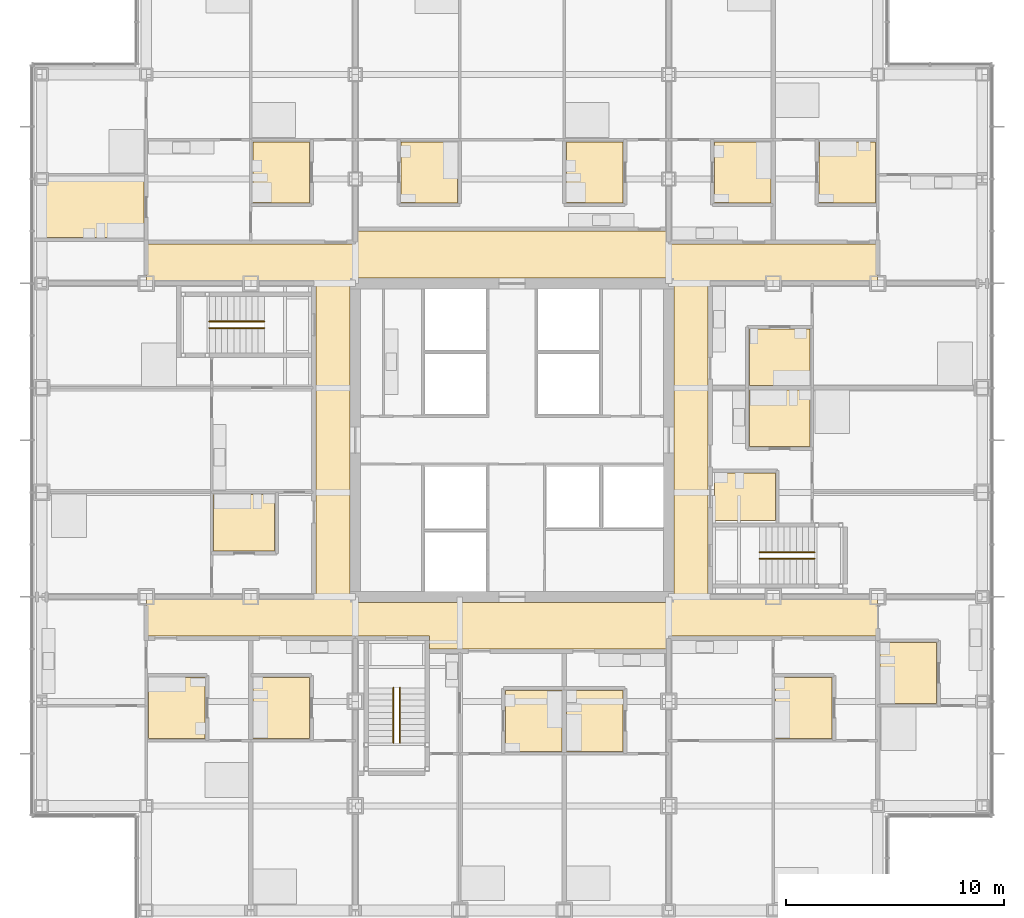
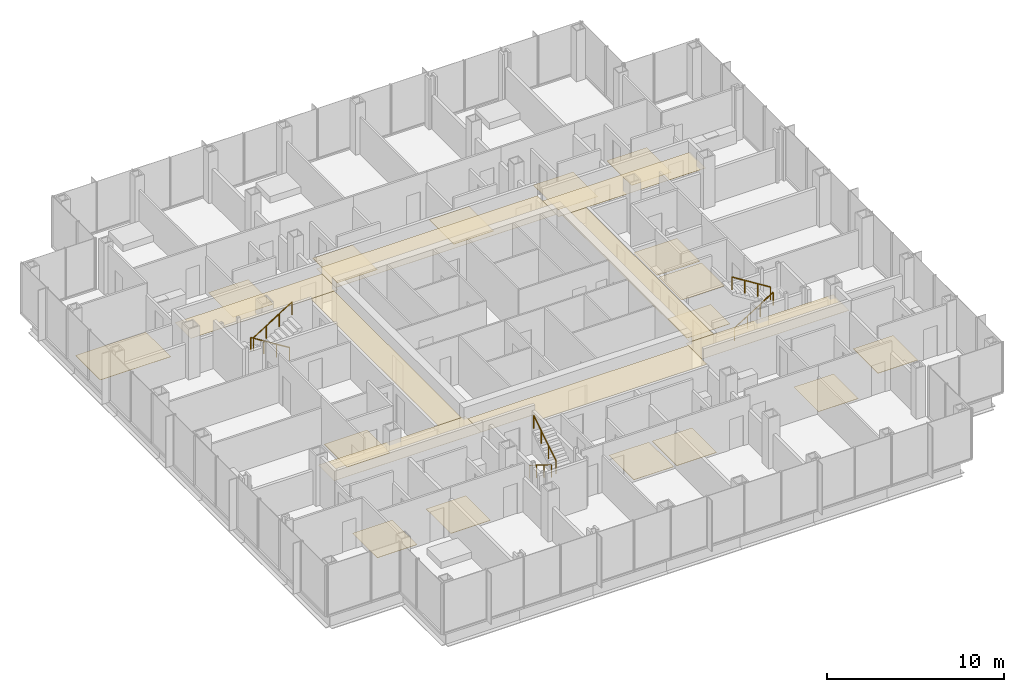
# One storey, part 19 of 21: 24 coverings, 6 railings.
"""IFC4 building model written with IfcOpenShell, lengths in metres."""

from ifc_helpers import new_model, si_unit, direction, frame, origin, origin_2d, place, context, subcontext, project, spatial, polyline, circle, outline, extrude, material, layer, layer_set, type_object, element, save


model = new_model("IFC4")

# Units and contexts
model_context = context("Model", 3, precision=1e-05, world=origin(), true_north=direction((0.0, 1.0)))
body_context = subcontext(model_context, "Body", "Model", "MODEL_VIEW")
ifc_project = project(units=[si_unit("LENGTHUNIT", "METRE"), si_unit("AREAUNIT", "SQUARE_METRE"), si_unit("VOLUMEUNIT", "CUBIC_METRE"), si_unit("PLANEANGLEUNIT", "RADIAN"), si_unit("MASSUNIT", "GRAM", prefix="KILO")], contexts=[model_context])

# Site, building, storey
site_placement = place(None, origin())
site = spatial("IfcSite", under=ifc_project, at=site_placement, CompositionType="ELEMENT")
building_placement = place(site_placement, origin())
building = spatial("IfcBuilding", under=site, at=building_placement, Name="Kvirike Care Tower", CompositionType="ELEMENT")
storey_placement = place(building_placement, frame((0.0, 0.0, 37.5)))
storey = spatial("IfcBuildingStorey", under=building, at=storey_placement, Name="L09", CompositionType="ELEMENT", Elevation=37.5)

# Coverings
ifc_material_1 = material(Name="Perforated metal ceiling tile", Category="aluminium")
ifc_layer_1 = layer(ifc_material_1, 0.014892578125)
ifc_layer_set_1 = layer_set([ifc_layer_1], Name="CORRIDOR CEILING 15")
covering_type_1 = type_object("IfcCoveringType", Name="CORRIDOR CEILING 15", PredefinedType="CEILING", material=ifc_layer_set_1)
covering_1_placement = place(storey_placement, frame((0.0, 0.0, 2.5)))
element("IfcCovering", 1, at=covering_1_placement, inside=storey, type_object=covering_type_1, Name="Corridor ceiling L09", PredefinedType="CEILING", context=body_context, shape_type="SweptSolid", body=[
    extrude(outline(polyline([(4.800048828125, 27.0), (4.800048828125, 28.800048828125), (14.39990234375, 28.800048828125), (14.39990234375, 27.0), (4.800048828125, 27.0)])), origin(), (0.0, 0.0, 1.0), 0.014892578125),
])
covering_2_placement = place(storey_placement, frame((0.0, 0.0, 2.5)))
element("IfcCovering", 2, at=covering_2_placement, inside=storey, type_object=covering_type_1, Name="Corridor ceiling L09", PredefinedType="CEILING", context=body_context, shape_type="SweptSolid", body=[
    extrude(outline(polyline([(12.60009765625, 43.199951171875), (14.14990234375, 43.199951171875), (14.14990234375, 28.800048828125), (12.60009765625, 28.800048828125), (12.60009765625, 43.199951171875)])), origin(), (0.0, 0.0, 1.0), 0.014892578125),
])
covering_3_placement = place(storey_placement, frame((0.0, 0.0, 2.5)))
element("IfcCovering", 3, at=covering_3_placement, inside=storey, type_object=covering_type_1, Name="Corridor ceiling L09", PredefinedType="CEILING", context=body_context, shape_type="SweptSolid", body=[
    extrude(outline(polyline([(14.39990234375, 45.0), (14.39990234375, 43.199951171875), (4.800048828125, 43.199951171875), (4.800048828125, 45.0), (14.39990234375, 45.0)])), origin(), (0.0, 0.0, 1.0), 0.014892578125),
])
covering_4_placement = place(storey_placement, frame((0.0, 0.0, 2.5)))
element("IfcCovering", 4, at=covering_4_placement, inside=storey, type_object=covering_type_1, Name="Corridor ceiling L09", PredefinedType="CEILING", context=body_context, shape_type="SweptSolid", body=[
    extrude(outline(polyline([(14.39990234375, 28.550048828125), (28.800048828125, 28.550048828125), (28.800048828125, 26.39990234375), (17.800048828125, 26.39990234375), (17.800048828125, 27.0), (14.39990234375, 27.0), (14.39990234375, 28.550048828125)])), origin(), (0.0, 0.0, 1.0), 0.014892578125),
])
covering_5_placement = place(storey_placement, frame((0.0, 0.0, 2.5)))
element("IfcCovering", 5, at=covering_5_placement, inside=storey, type_object=covering_type_1, Name="Corridor ceiling L09", PredefinedType="CEILING", context=body_context, shape_type="SweptSolid", body=[
    extrude(outline(polyline([(28.800048828125, 45.60009765625), (28.800048828125, 43.449951171875), (14.39990234375, 43.449951171875), (14.39990234375, 45.60009765625), (28.800048828125, 45.60009765625)])), origin(), (0.0, 0.0, 1.0), 0.014892578125),
])
covering_6_placement = place(storey_placement, frame((0.0, 0.0, 2.5)))
element("IfcCovering", 6, at=covering_6_placement, inside=storey, type_object=covering_type_1, Name="Corridor ceiling L09", PredefinedType="CEILING", context=body_context, shape_type="SweptSolid", body=[
    extrude(outline(polyline([(28.800048828125, 27.0), (28.800048828125, 28.800048828125), (38.39990234375, 28.800048828125), (38.39990234375, 27.0), (28.800048828125, 27.0)])), origin(), (0.0, 0.0, 1.0), 0.014892578125),
])
covering_7_placement = place(storey_placement, frame((0.0, 0.0, 2.5)))
element("IfcCovering", 7, at=covering_7_placement, inside=storey, type_object=covering_type_1, Name="Corridor ceiling L09", PredefinedType="CEILING", context=body_context, shape_type="SweptSolid", body=[
    extrude(outline(polyline([(30.60009765625, 28.800048828125), (29.050048828125, 28.800048828125), (29.050048828125, 43.199951171875), (30.60009765625, 43.199951171875), (30.60009765625, 28.800048828125)])), origin(), (0.0, 0.0, 1.0), 0.014892578125),
])
covering_8_placement = place(storey_placement, frame((0.0, 0.0, 2.5)))
element("IfcCovering", 8, at=covering_8_placement, inside=storey, type_object=covering_type_1, Name="Corridor ceiling L09", PredefinedType="CEILING", context=body_context, shape_type="SweptSolid", body=[
    extrude(outline(polyline([(38.39990234375, 45.0), (38.39990234375, 43.199951171875), (28.800048828125, 43.199951171875), (28.800048828125, 45.0), (38.39990234375, 45.0)])), origin(), (0.0, 0.0, 1.0), 0.014892578125),
])

# Railings
ifc_material_2 = material(Name="Stainless steel handrail", Category="steel")
railing_type = type_object("IfcRailingType", Name="STAIR HANDRAIL 900", PredefinedType="HANDRAIL", material=ifc_material_2)
railing_1_placement = place(storey_placement, frame((10.219970703125, 41.449951171875, 0.175048828125)))
element("IfcRailing", 9, at=railing_1_placement, inside=storey, type_object=railing_type, Name="Stair 1 handrail L09 flight 1", PredefinedType="HANDRAIL", context=body_context, shape_type="SweptSolid", body=[
    extrude(circle(Radius=0.02490234375, at=origin_2d()), frame((0.0, 0.0, 0.875), z_axis=(-0.848007534815, 0.0, 0.529984170421), x_axis=(0.0, -1.0, 0.0)), (0.0, 0.0, 1.0), 2.9716796875),
    extrude(circle(Radius=0.02001953125, at=origin_2d()), origin(), (0.0, 0.0, 1.0), 0.849853515625),
    extrude(circle(Radius=0.02001953125, at=origin_2d()), frame((-0.840087890625, 0.0, 0.52490234375)), (0.0, 0.0, 1.0), 0.849853515625),
    extrude(circle(Radius=0.02001953125, at=origin_2d()), frame((-1.679931640625, 0.0, 1.050048828125)), (0.0, 0.0, 1.0), 0.849853515625),
    extrude(circle(Radius=0.02001953125, at=origin_2d()), frame((-2.52001953125, 0.0, 1.574951171875)), (0.0, 0.0, 1.0), 0.849853515625),
])
for number, where, name in (
    (10, (7.699951171875, 41.14990234375, 1.925048828125), "Stair 1 handrail L09 flight 2"),
    (11, (32.97998046875, 30.550048828125, 0.175048828125), "Stair 2 handrail L09 flight 1"),
):
    element("IfcRailing", number, at=place(storey_placement, frame(where)), inside=storey, type_object=railing_type, Name=name, PredefinedType="HANDRAIL", context=body_context, shape_type="SweptSolid", body=[
        extrude(circle(Radius=0.02490234375, at=origin_2d()), frame((0.0, 0.0, 0.875), z_axis=(0.848007534815, 0.0, 0.529984170421), x_axis=(0.0, 1.0, 0.0)), (0.0, 0.0, 1.0), 2.9716796875),
        extrude(circle(Radius=0.02001953125, at=origin_2d()), origin(), (0.0, 0.0, 1.0), 0.849853515625),
        extrude(circle(Radius=0.02001953125, at=origin_2d()), frame((0.840087890625, 0.0, 0.52490234375)), (0.0, 0.0, 1.0), 0.849853515625),
        extrude(circle(Radius=0.02001953125, at=origin_2d()), frame((1.679931640625, 0.0, 1.050048828125)), (0.0, 0.0, 1.0), 0.849853515625),
        extrude(circle(Radius=0.02001953125, at=origin_2d()), frame((2.52001953125, 0.0, 1.574951171875)), (0.0, 0.0, 1.0), 0.849853515625),
    ])
railing_2_placement = place(storey_placement, frame((35.5, 30.85009765625, 1.925048828125)))
element("IfcRailing", 12, at=railing_2_placement, inside=storey, type_object=railing_type, Name="Stair 2 handrail L09 flight 2", PredefinedType="HANDRAIL", context=body_context, shape_type="SweptSolid", body=[
    extrude(circle(Radius=0.02490234375, at=origin_2d()), frame((0.0, 0.0, 0.875), z_axis=(-0.848007534815, 0.0, 0.529984170421), x_axis=(0.0, -1.0, 0.0)), (0.0, 0.0, 1.0), 2.9716796875),
    extrude(circle(Radius=0.02001953125, at=origin_2d()), origin(), (0.0, 0.0, 1.0), 0.849853515625),
    extrude(circle(Radius=0.02001953125, at=origin_2d()), frame((-0.840087890625, 0.0, 0.52490234375)), (0.0, 0.0, 1.0), 0.849853515625),
    extrude(circle(Radius=0.02001953125, at=origin_2d()), frame((-1.679931640625, 0.0, 1.050048828125)), (0.0, 0.0, 1.0), 0.849853515625),
    extrude(circle(Radius=0.02001953125, at=origin_2d()), frame((-2.52001953125, 0.0, 1.574951171875)), (0.0, 0.0, 1.0), 0.849853515625),
])
railing_3_placement = place(storey_placement, frame((16.14990234375, 24.6201171875, 0.175048828125)))
element("IfcRailing", 13, at=railing_3_placement, inside=storey, type_object=railing_type, Name="Stair 5 handrail L09 flight 1", PredefinedType="HANDRAIL", context=body_context, shape_type="SweptSolid", body=[
    extrude(circle(Radius=0.02490234375, at=origin_2d()), frame((0.0, 0.0, 0.875), z_axis=(0.0, -0.848007534815, 0.529984170421), x_axis=(1.0, 0.0, 0.0)), (0.0, 0.0, 1.0), 2.9716796875),
    extrude(circle(Radius=0.02001953125, at=origin_2d()), origin(), (0.0, 0.0, 1.0), 0.849853515625),
    extrude(circle(Radius=0.02001953125, at=origin_2d()), frame((0.0, -0.840087890625, 0.52490234375)), (0.0, 0.0, 1.0), 0.849853515625),
    extrude(circle(Radius=0.02001953125, at=origin_2d()), frame((0.0, -1.679931640625, 1.050048828125)), (0.0, 0.0, 1.0), 0.849853515625),
    extrude(circle(Radius=0.02001953125, at=origin_2d()), frame((0.0, -2.52001953125, 1.574951171875)), (0.0, 0.0, 1.0), 0.849853515625),
])
railing_4_placement = place(storey_placement, frame((16.449951171875, 22.10009765625, 1.925048828125)))
element("IfcRailing", 14, at=railing_4_placement, inside=storey, type_object=railing_type, Name="Stair 5 handrail L09 flight 2", PredefinedType="HANDRAIL", context=body_context, shape_type="SweptSolid", body=[
    extrude(circle(Radius=0.02490234375, at=origin_2d()), frame((0.0, 0.0, 0.875), z_axis=(0.0, 0.848007534815, 0.529984170421), x_axis=(-1.0, 0.0, 0.0)), (0.0, 0.0, 1.0), 2.9716796875),
    extrude(circle(Radius=0.02001953125, at=origin_2d()), origin(), (0.0, 0.0, 1.0), 0.849853515625),
    extrude(circle(Radius=0.02001953125, at=origin_2d()), frame((0.0, 0.840087890625, 0.52490234375)), (0.0, 0.0, 1.0), 0.849853515625),
    extrude(circle(Radius=0.02001953125, at=origin_2d()), frame((0.0, 1.679931640625, 1.050048828125)), (0.0, 0.0, 1.0), 0.849853515625),
    extrude(circle(Radius=0.02001953125, at=origin_2d()), frame((0.0, 2.52001953125, 1.574951171875)), (0.0, 0.0, 1.0), 0.849853515625),
])

# Coverings
ifc_material_3 = material(Name="Slip-resistant vinyl safety flooring on screed")
ifc_layer_2 = layer(ifc_material_3, 0.02001953125)
ifc_layer_set_2 = layer_set([ifc_layer_2], Name="WET ROOM FLOOR 20")
covering_type_2 = type_object("IfcCoveringType", Name="WET ROOM FLOOR 20", PredefinedType="FLOORING", material=ifc_layer_set_2)
covering_9_placement = place(storey_placement, origin())
element("IfcCovering", 15, at=covering_9_placement, inside=storey, type_object=covering_type_2, Name="Bathroom floor L09-004", PredefinedType="FLOORING", context=body_context, shape_type="SweptSolid", body=[
    extrude(outline(polyline([(4.89990234375, 22.300048828125), (4.89990234375, 25.10009765625), (7.5, 25.10009765625), (7.5, 22.300048828125), (4.89990234375, 22.300048828125)])), origin(), (0.0, 0.0, 1.0), 0.02001953125),
])
covering_10_placement = place(storey_placement, origin())
element("IfcCovering", 16, at=covering_10_placement, inside=storey, type_object=covering_type_2, Name="Bathroom floor L09-008", PredefinedType="FLOORING", context=body_context, shape_type="SweptSolid", body=[
    extrude(outline(polyline([(9.699951171875, 22.300048828125), (9.699951171875, 25.10009765625), (12.300048828125, 25.10009765625), (12.300048828125, 22.300048828125), (9.699951171875, 22.300048828125)])), origin(), (0.0, 0.0, 1.0), 0.02001953125),
])
covering_11_placement = place(storey_placement, origin())
element("IfcCovering", 17, at=covering_11_placement, inside=storey, type_object=covering_type_2, Name="Bathroom floor L09-015", PredefinedType="FLOORING", context=body_context, shape_type="SweptSolid", body=[
    extrude(outline(polyline([(7.89990234375, 33.5), (10.699951171875, 33.5), (10.699951171875, 30.89990234375), (7.89990234375, 30.89990234375), (7.89990234375, 33.5)])), origin(), (0.0, 0.0, 1.0), 0.02001953125),
])
covering_12_placement = place(storey_placement, origin())
element("IfcCovering", 18, at=covering_12_placement, inside=storey, type_object=covering_type_2, Name="Shower room floor L09-023", PredefinedType="FLOORING", context=body_context, shape_type="SweptSolid", body=[
    extrude(outline(polyline([(12.300048828125, 49.699951171875), (12.300048828125, 46.89990234375), (9.699951171875, 46.89990234375), (9.699951171875, 49.699951171875), (12.300048828125, 49.699951171875)])), origin(), (0.0, 0.0, 1.0), 0.02001953125),
])
covering_13_placement = place(storey_placement, origin())
element("IfcCovering", 19, at=covering_13_placement, inside=storey, type_object=covering_type_2, Name="Bathroom floor L09-024", PredefinedType="FLOORING", context=body_context, shape_type="SweptSolid", body=[
    extrude(outline(polyline([(4.699951171875, 48.10009765625), (4.699951171875, 45.300048828125), (0.10009765625, 45.300048828125), (0.10009765625, 48.10009765625), (4.699951171875, 48.10009765625)])), origin(), (0.0, 0.0, 1.0), 0.02001953125),
])
covering_14_placement = place(storey_placement, origin())
element("IfcCovering", 20, at=covering_14_placement, inside=storey, type_object=covering_type_2, Name="Bathroom floor L09-031", PredefinedType="FLOORING", context=body_context, shape_type="SweptSolid", body=[
    extrude(outline(polyline([(21.300048828125, 21.699951171875), (21.300048828125, 24.5), (23.89990234375, 24.5), (23.89990234375, 21.699951171875), (21.300048828125, 21.699951171875)])), origin(), (0.0, 0.0, 1.0), 0.02001953125),
])
covering_15_placement = place(storey_placement, origin())
element("IfcCovering", 21, at=covering_15_placement, inside=storey, type_object=covering_type_2, Name="Bathroom floor L09-035", PredefinedType="FLOORING", context=body_context, shape_type="SweptSolid", body=[
    extrude(outline(polyline([(24.10009765625, 21.699951171875), (24.10009765625, 24.5), (26.699951171875, 24.5), (26.699951171875, 21.699951171875), (24.10009765625, 21.699951171875)])), origin(), (0.0, 0.0, 1.0), 0.02001953125),
])
covering_16_placement = place(storey_placement, origin())
element("IfcCovering", 22, at=covering_16_placement, inside=storey, type_object=covering_type_2, Name="Shower room floor L09-041", PredefinedType="FLOORING", context=body_context, shape_type="SweptSolid", body=[
    extrude(outline(polyline([(26.699951171875, 49.699951171875), (26.699951171875, 46.89990234375), (24.10009765625, 46.89990234375), (24.10009765625, 49.699951171875), (26.699951171875, 49.699951171875)])), origin(), (0.0, 0.0, 1.0), 0.02001953125),
])
covering_17_placement = place(storey_placement, origin())
element("IfcCovering", 23, at=covering_17_placement, inside=storey, type_object=covering_type_2, Name="Bathroom floor L09-042", PredefinedType="FLOORING", context=body_context, shape_type="SweptSolid", body=[
    extrude(outline(polyline([(19.10009765625, 49.699951171875), (19.10009765625, 46.89990234375), (16.5, 46.89990234375), (16.5, 49.699951171875), (19.10009765625, 49.699951171875)])), origin(), (0.0, 0.0, 1.0), 0.02001953125),
])
covering_18_placement = place(storey_placement, origin())
element("IfcCovering", 24, at=covering_18_placement, inside=storey, type_object=covering_type_2, Name="Bathroom floor L09-047", PredefinedType="FLOORING", context=body_context, shape_type="SweptSolid", body=[
    extrude(outline(polyline([(33.699951171875, 22.300048828125), (33.699951171875, 25.10009765625), (36.300048828125, 25.10009765625), (36.300048828125, 22.300048828125), (33.699951171875, 22.300048828125)])), origin(), (0.0, 0.0, 1.0), 0.02001953125),
])
covering_19_placement = place(storey_placement, origin())
element("IfcCovering", 25, at=covering_19_placement, inside=storey, type_object=covering_type_2, Name="Bathroom floor L09-051", PredefinedType="FLOORING", context=body_context, shape_type="SweptSolid", body=[
    extrude(outline(polyline([(38.5, 23.89990234375), (38.5, 26.699951171875), (41.10009765625, 26.699951171875), (41.10009765625, 23.89990234375), (38.5, 23.89990234375)])), origin(), (0.0, 0.0, 1.0), 0.02001953125),
])
covering_20_placement = place(storey_placement, origin())
element("IfcCovering", 26, at=covering_20_placement, inside=storey, type_object=covering_type_2, Name="Accessible WC floor L09-057", PredefinedType="FLOORING", context=body_context, shape_type="SweptSolid", body=[
    extrude(outline(polyline([(33.699951171875, 32.300048828125), (30.89990234375, 32.300048828125), (30.89990234375, 34.5), (33.699951171875, 34.5), (33.699951171875, 32.300048828125)])), origin(), (0.0, 0.0, 1.0), 0.02001953125),
])
covering_21_placement = place(storey_placement, origin())
element("IfcCovering", 27, at=covering_21_placement, inside=storey, type_object=covering_type_2, Name="Bathroom floor L09-058", PredefinedType="FLOORING", context=body_context, shape_type="SweptSolid", body=[
    extrude(outline(polyline([(35.300048828125, 35.699951171875), (32.5, 35.699951171875), (32.5, 38.300048828125), (35.300048828125, 38.300048828125), (35.300048828125, 35.699951171875)])), origin(), (0.0, 0.0, 1.0), 0.02001953125),
])
covering_22_placement = place(storey_placement, origin())
element("IfcCovering", 28, at=covering_22_placement, inside=storey, type_object=covering_type_2, Name="Bathroom floor L09-061", PredefinedType="FLOORING", context=body_context, shape_type="SweptSolid", body=[
    extrude(outline(polyline([(35.300048828125, 38.5), (32.5, 38.5), (32.5, 41.10009765625), (35.300048828125, 41.10009765625), (35.300048828125, 38.5)])), origin(), (0.0, 0.0, 1.0), 0.02001953125),
])
covering_23_placement = place(storey_placement, origin())
element("IfcCovering", 29, at=covering_23_placement, inside=storey, type_object=covering_type_2, Name="Bathroom floor L09-066", PredefinedType="FLOORING", context=body_context, shape_type="SweptSolid", body=[
    extrude(outline(polyline([(38.300048828125, 49.699951171875), (38.300048828125, 46.89990234375), (35.699951171875, 46.89990234375), (35.699951171875, 49.699951171875), (38.300048828125, 49.699951171875)])), origin(), (0.0, 0.0, 1.0), 0.02001953125),
])
covering_24_placement = place(storey_placement, origin())
element("IfcCovering", 30, at=covering_24_placement, inside=storey, type_object=covering_type_2, Name="Bathroom floor L09-070", PredefinedType="FLOORING", context=body_context, shape_type="SweptSolid", body=[
    extrude(outline(polyline([(33.5, 49.699951171875), (33.5, 46.89990234375), (30.89990234375, 46.89990234375), (30.89990234375, 49.699951171875), (33.5, 49.699951171875)])), origin(), (0.0, 0.0, 1.0), 0.02001953125),
])

save(model, "model.ifc")
